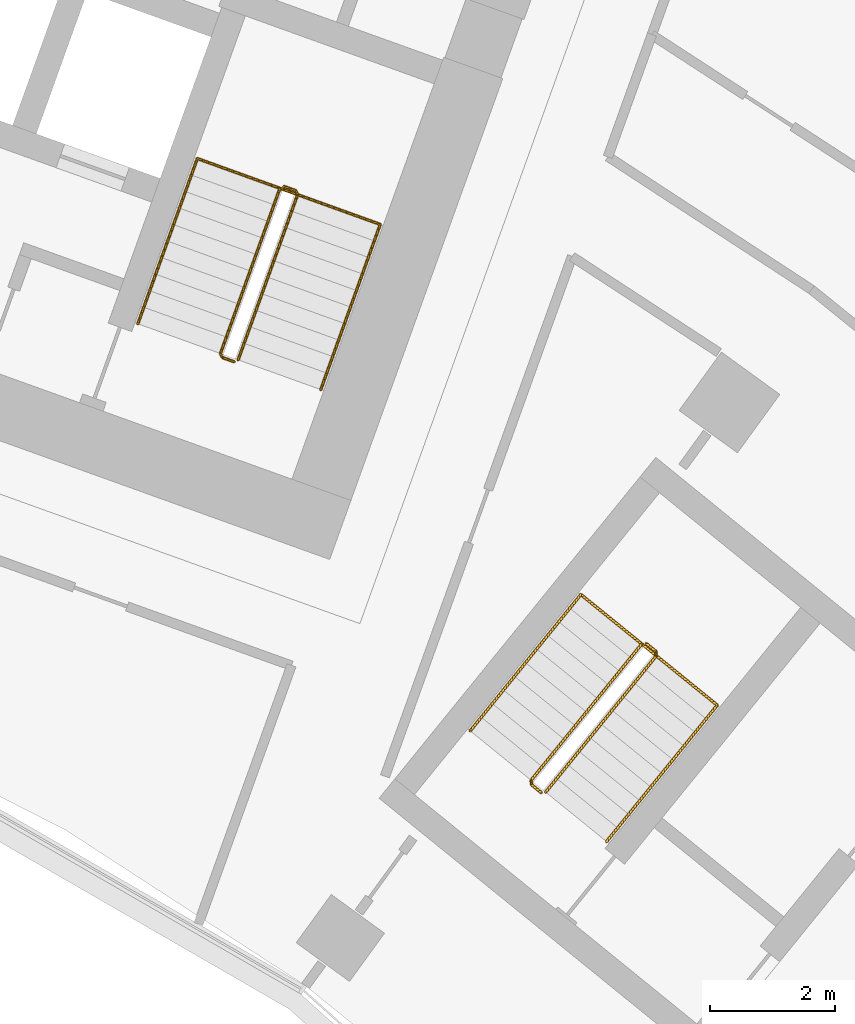
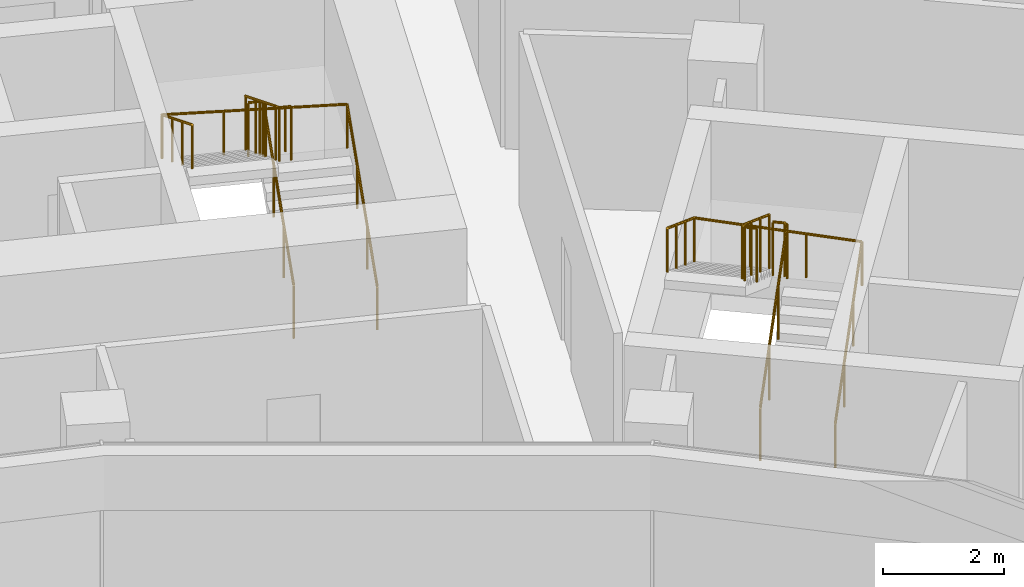
# One storey, part 20 of 20: 6 railings.
"""IFC4 building model written with IfcOpenShell, lengths in metres."""

from ifc_helpers import new_model, si_unit, direction, frame, origin, origin_2d, place, context, subcontext, project, spatial, circle, extrude, material, type_object, element, save


model = new_model("IFC4")

# Units and contexts
model_context = context("Model", 3, precision=1e-05, world=origin(), true_north=direction((0.0, 1.0)))
body_context = subcontext(model_context, "Body", "Model", "MODEL_VIEW")
ifc_project = project(units=[si_unit("LENGTHUNIT", "METRE"), si_unit("AREAUNIT", "SQUARE_METRE"), si_unit("VOLUMEUNIT", "CUBIC_METRE"), si_unit("PLANEANGLEUNIT", "RADIAN"), si_unit("MASSUNIT", "GRAM", prefix="KILO")], contexts=[model_context])

# Site, building, storey
site_placement = place(None, origin())
site = spatial("IfcSite", under=ifc_project, at=site_placement, CompositionType="ELEMENT")
building_placement = place(site_placement, origin())
building = spatial("IfcBuilding", under=site, at=building_placement, Name="Stone Belt Terrace Tower", CompositionType="ELEMENT")
storey_placement = place(building_placement, frame((0.0, 0.0, 201.0)))
storey = spatial("IfcBuildingStorey", under=building, at=storey_placement, Name="L48", CompositionType="ELEMENT", Elevation=201.0)

# Railings
ifc_material = material(Name="Structural steel C345", Category="steel")
railing_type_1 = type_object("IfcRailingType", Name="Stair guard 1100", PredefinedType="GUARDRAIL", material=ifc_material)
railing_1_placement = place(storey_placement, frame((24.494140625, 45.174560546875, 0.172607421875)))
element("IfcRailing", 1, at=railing_1_placement, inside=storey, type_object=railing_type_1, Name="L48 ST1B stair guard 1", PredefinedType="GUARDRAIL", context=body_context, shape_type="SweptSolid", body=[
    extrude(circle(Radius=0.02392578125, at=origin_2d()), frame((0.0, 0.0, 1.076171875), z_axis=(0.288228637646, 0.800791768495, 0.525030280985), x_axis=(-0.940908529223, 0.338660803216, 0.0)), (0.0, 0.0, 1.0), 3.289794921875),
    extrude(circle(Radius=0.02392578125, at=origin_2d()), frame((0.9482421875, 2.634521484375, 2.80322265625), z_axis=(-0.424964916, 0.905209821074, 0.0), x_axis=(-0.905209821074, -0.424964916, 0.0)), (0.0, 0.0, 1.0), 0.070556640625),
    extrude(circle(Radius=0.02392578125, at=origin_2d()), frame((0.918212890625, 2.698486328125, 2.80322265625), z_axis=(-0.941105063269, 0.338114270461, 0.0), x_axis=(-0.338114270461, -0.941105063269, 0.0)), (0.0, 0.0, 1.0), 0.199951171875),
    extrude(circle(Radius=0.02099609375, at=origin_2d()), origin(), (0.0, 0.0, 1.0), 1.052001953125),
    extrude(circle(Radius=0.02099609375, at=origin_2d()), frame((0.316162109375, 0.878173828125, 0.57568359375)), (0.0, 0.0, 1.0), 1.052001953125),
    extrude(circle(Radius=0.02099609375, at=origin_2d()), frame((0.632080078125, 1.75634765625, 1.151611328125)), (0.0, 0.0, 1.0), 1.052001953125),
    extrude(circle(Radius=0.02099609375, at=origin_2d()), frame((0.9482421875, 2.634521484375, 1.727294921875)), (0.0, 0.0, 1.0), 1.052001953125),
    extrude(circle(Radius=0.02099609375, at=origin_2d()), frame((0.918212890625, 2.698486328125, 1.727294921875)), (0.0, 0.0, 1.0), 1.052001953125),
    extrude(circle(Radius=0.02099609375, at=origin_2d()), frame((0.72998046875, 2.76611328125, 1.727294921875)), (0.0, 0.0, 1.0), 1.052001953125),
])
railing_2_placement = place(storey_placement, frame((25.16015625, 47.91064453125, 2.07275390625)))
element("IfcRailing", 2, at=railing_2_placement, inside=storey, type_object=railing_type_1, Name="L48 ST1B stair guard 2", PredefinedType="GUARDRAIL", context=body_context, shape_type="SweptSolid", body=[
    extrude(circle(Radius=0.02392578125, at=origin_2d()), frame((0.0, 0.0, 1.076171875), z_axis=(-0.288228637646, -0.800791768495, 0.525030280985), x_axis=(0.940908529223, -0.338660803216, 0.0)), (0.0, 0.0, 1.0), 3.289794921875),
    extrude(circle(Radius=0.02392578125, at=origin_2d()), frame((-0.9482421875, -2.634521484375, 2.80322265625), z_axis=(0.427789722475, -0.903878284585, 0.0), x_axis=(0.903878284585, 0.427789722475, 0.0)), (0.0, 0.0, 1.0), 0.07080078125),
    extrude(circle(Radius=0.02392578125, at=origin_2d()), frame((-0.91796875, -2.698486328125, 2.80322265625), z_axis=(0.940575576748, -0.339584429008, 0.0), x_axis=(0.339584429008, 0.940575576748, 0.0)), (0.0, 0.0, 1.0), 0.199951171875),
    extrude(circle(Radius=0.02099609375, at=origin_2d()), origin(), (0.0, 0.0, 1.0), 1.052001953125),
    extrude(circle(Radius=0.02099609375, at=origin_2d()), frame((-0.316162109375, -0.878173828125, 0.57568359375)), (0.0, 0.0, 1.0), 1.052001953125),
    extrude(circle(Radius=0.02099609375, at=origin_2d()), frame((-0.632080078125, -1.75634765625, 1.151611328125)), (0.0, 0.0, 1.0), 1.052001953125),
    extrude(circle(Radius=0.02099609375, at=origin_2d()), frame((-0.9482421875, -2.634521484375, 1.727294921875)), (0.0, 0.0, 1.0), 1.052001953125),
    extrude(circle(Radius=0.02099609375, at=origin_2d()), frame((-0.91796875, -2.698486328125, 1.727294921875)), (0.0, 0.0, 1.0), 1.052001953125),
    extrude(circle(Radius=0.02099609375, at=origin_2d()), frame((-0.72998046875, -2.766357421875, 1.727294921875)), (0.0, 0.0, 1.0), 1.052001953125),
])
railing_3_placement = place(storey_placement, frame((29.39794921875, 38.281982421875, 0.172607421875)))
element("IfcRailing", 3, at=railing_3_placement, inside=storey, type_object=railing_type_1, Name="L48 ST3B stair guard 1", PredefinedType="GUARDRAIL", context=body_context, shape_type="SweptSolid", body=[
    extrude(circle(Radius=0.02392578125, at=origin_2d()), frame((0.0, 0.0, 1.076171875), z_axis=(0.536393061503, 0.660769759217, 0.525038864158), x_axis=(-0.776391310223, 0.630251166924, 0.0)), (0.0, 0.0, 1.0), 3.289794921875),
    extrude(circle(Radius=0.02392578125, at=origin_2d()), frame((1.7646484375, 2.173828125, 2.80322265625), z_axis=(-0.103251414163, 0.994655289773, 0.0), x_axis=(-0.994655289773, -0.103251414163, 0.0)), (0.0, 0.0, 1.0), 0.071044921875),
    extrude(circle(Radius=0.02392578125, at=origin_2d()), frame((1.75732421875, 2.244384765625, 2.80322265625), z_axis=(-0.776561986372, 0.630040856868, 0.0), x_axis=(-0.630040856868, -0.776561986372, 0.0)), (0.0, 0.0, 1.0), 0.199951171875),
    extrude(circle(Radius=0.02099609375, at=origin_2d()), origin(), (0.0, 0.0, 1.0), 1.052001953125),
    extrude(circle(Radius=0.02099609375, at=origin_2d()), frame((0.588134765625, 0.724609375, 0.57568359375)), (0.0, 0.0, 1.0), 1.052001953125),
    extrude(circle(Radius=0.02099609375, at=origin_2d()), frame((1.176513671875, 1.44921875, 1.151611328125)), (0.0, 0.0, 1.0), 1.052001953125),
    extrude(circle(Radius=0.02099609375, at=origin_2d()), frame((1.7646484375, 2.173828125, 1.727294921875)), (0.0, 0.0, 1.0), 1.052001953125),
    extrude(circle(Radius=0.02099609375, at=origin_2d()), frame((1.75732421875, 2.244384765625, 1.727294921875)), (0.0, 0.0, 1.0), 1.052001953125),
    extrude(circle(Radius=0.02099609375, at=origin_2d()), frame((1.60205078125, 2.370361328125, 1.727294921875)), (0.0, 0.0, 1.0), 1.052001953125),
])
railing_4_placement = place(storey_placement, frame((30.9296875, 40.64501953125, 2.07275390625)))
element("IfcRailing", 4, at=railing_4_placement, inside=storey, type_object=railing_type_1, Name="L48 ST3B stair guard 2", PredefinedType="GUARDRAIL", context=body_context, shape_type="SweptSolid", body=[
    extrude(circle(Radius=0.02392578125, at=origin_2d()), frame((0.0, 0.0, 1.076171875), z_axis=(-0.536366759382, -0.660811565066, 0.525013118792), x_axis=(0.776425942316, -0.630208502084, 0.0)), (0.0, 0.0, 1.0), 3.2900390625),
    extrude(circle(Radius=0.02392578125, at=origin_2d()), frame((-1.7646484375, -2.174072265625, 2.80322265625), z_axis=(0.103606084259, -0.994618408891, 0.0), x_axis=(0.994618408891, 0.103606084259, 0.0)), (0.0, 0.0, 1.0), 0.07080078125),
    extrude(circle(Radius=0.02392578125, at=origin_2d()), frame((-1.75732421875, -2.244384765625, 2.80322265625), z_axis=(0.776561986372, -0.630040856868, 0.0), x_axis=(0.630040856868, 0.776561986372, 0.0)), (0.0, 0.0, 1.0), 0.199951171875),
    extrude(circle(Radius=0.02099609375, at=origin_2d()), origin(), (0.0, 0.0, 1.0), 1.052001953125),
    extrude(circle(Radius=0.02099609375, at=origin_2d()), frame((-0.588134765625, -0.724609375, 0.57568359375)), (0.0, 0.0, 1.0), 1.052001953125),
    extrude(circle(Radius=0.02099609375, at=origin_2d()), frame((-1.176513671875, -1.449462890625, 1.151611328125)), (0.0, 0.0, 1.0), 1.052001953125),
    extrude(circle(Radius=0.02099609375, at=origin_2d()), frame((-1.7646484375, -2.174072265625, 1.727294921875)), (0.0, 0.0, 1.0), 1.052001953125),
    extrude(circle(Radius=0.02099609375, at=origin_2d()), frame((-1.75732421875, -2.244384765625, 1.727294921875)), (0.0, 0.0, 1.0), 1.052001953125),
    extrude(circle(Radius=0.02099609375, at=origin_2d()), frame((-1.60205078125, -2.370361328125, 1.727294921875)), (0.0, 0.0, 1.0), 1.052001953125),
])
railing_type_2 = type_object("IfcRailingType", Name="Stair handrail 900", PredefinedType="HANDRAIL", material=ifc_material)
railing_5_placement = place(storey_placement, frame((25.8115234375, 44.700439453125, 0.172607421875)))
element("IfcRailing", 5, at=railing_5_placement, inside=storey, type_object=railing_type_2, Name="L48 ST1B stair handrail 1", PredefinedType="HANDRAIL", context=body_context, shape_type="SweptSolid", body=[
    extrude(circle(Radius=0.02392578125, at=origin_2d()), frame((0.0, 0.0, 0.8759765625), z_axis=(0.288228637646, 0.800791768495, 0.525030280985), x_axis=(-0.940908529223, 0.338660803216, 0.0)), (0.0, 0.0, 1.0), 3.289794921875),
    extrude(circle(Radius=0.02392578125, at=origin_2d()), frame((0.9482421875, 2.634521484375, 2.60302734375), z_axis=(-0.939460408074, 0.338105101667, 0.055669398135), x_axis=(-0.338630230244, -0.940919532779, 0.0)), (0.0, 0.0, 1.0), 3.10498046875),
    extrude(circle(Radius=0.02392578125, at=origin_2d()), frame((-1.96875, 3.684326171875, 2.77587890625), z_axis=(-0.288160591223, -0.800808895155, 0.52504150989), x_axis=(0.940936311087, -0.338583606334, 0.0)), (0.0, 0.0, 1.0), 3.289794921875),
    extrude(circle(Radius=0.02099609375, at=origin_2d()), origin(), (0.0, 0.0, 1.0), 0.851806640625),
    extrude(circle(Radius=0.02099609375, at=origin_2d()), frame((0.316162109375, 0.878173828125, 0.57568359375)), (0.0, 0.0, 1.0), 0.851806640625),
    extrude(circle(Radius=0.02099609375, at=origin_2d()), frame((0.632080078125, 1.75634765625, 1.151611328125)), (0.0, 0.0, 1.0), 0.851806640625),
    extrude(circle(Radius=0.02099609375, at=origin_2d()), frame((0.9482421875, 2.634521484375, 1.727294921875)), (0.0, 0.0, 1.0), 0.851806640625),
    extrude(circle(Radius=0.02099609375, at=origin_2d()), frame((-0.024169921875, 2.984375, 1.784912109375)), (0.0, 0.0, 1.0), 0.851806640625),
    extrude(circle(Radius=0.02099609375, at=origin_2d()), frame((-0.996337890625, 3.33447265625, 1.842529296875)), (0.0, 0.0, 1.0), 0.851806640625),
    extrude(circle(Radius=0.02099609375, at=origin_2d()), frame((-1.96875, 3.684326171875, 1.900146484375)), (0.0, 0.0, 1.0), 0.851806640625),
    extrude(circle(Radius=0.02099609375, at=origin_2d()), frame((-2.28466796875, 2.80615234375, 2.475830078125)), (0.0, 0.0, 1.0), 0.851806640625),
    extrude(circle(Radius=0.02099609375, at=origin_2d()), frame((-2.600830078125, 1.927978515625, 3.0517578125)), (0.0, 0.0, 1.0), 0.851806640625),
    extrude(circle(Radius=0.02099609375, at=origin_2d()), frame((-2.916748046875, 1.0498046875, 3.62744140625)), (0.0, 0.0, 1.0), 0.851806640625),
])
railing_6_placement = place(storey_placement, frame((30.36865234375, 37.494140625, 0.172607421875)))
element("IfcRailing", 6, at=railing_6_placement, inside=storey, type_object=railing_type_2, Name="L48 ST3B stair handrail 1", PredefinedType="HANDRAIL", context=body_context, shape_type="SweptSolid", body=[
    extrude(circle(Radius=0.02392578125, at=origin_2d()), frame((0.0, 0.0, 0.8759765625), z_axis=(0.536366759382, 0.660811565066, 0.525013118792), x_axis=(-0.776425942316, 0.630208502084, 0.0)), (0.0, 0.0, 1.0), 3.2900390625),
    extrude(circle(Radius=0.02392578125, at=origin_2d()), frame((1.7646484375, 2.174072265625, 2.60302734375), z_axis=(-0.774950814199, 0.629011171817, 0.061613158501), x_axis=(-0.630208502084, -0.776425942316, 0.0)), (0.0, 0.0, 1.0), 2.805419921875),
    extrude(circle(Radius=0.02392578125, at=origin_2d()), frame((-0.409423828125, 3.938720703125, 2.77587890625), z_axis=(-0.536366759382, -0.660811565066, 0.525013118792), x_axis=(0.776425942316, -0.630208502084, 0.0)), (0.0, 0.0, 1.0), 3.2900390625),
    extrude(circle(Radius=0.02099609375, at=origin_2d()), origin(), (0.0, 0.0, 1.0), 0.851806640625),
    extrude(circle(Radius=0.02099609375, at=origin_2d()), frame((0.588134765625, 0.724609375, 0.57568359375)), (0.0, 0.0, 1.0), 0.851806640625),
    extrude(circle(Radius=0.02099609375, at=origin_2d()), frame((1.176513671875, 1.449462890625, 1.151611328125)), (0.0, 0.0, 1.0), 0.851806640625),
    extrude(circle(Radius=0.02099609375, at=origin_2d()), frame((1.7646484375, 2.174072265625, 1.727294921875)), (0.0, 0.0, 1.0), 0.851806640625),
    extrude(circle(Radius=0.02099609375, at=origin_2d()), frame((1.0400390625, 2.76220703125, 1.784912109375)), (0.0, 0.0, 1.0), 0.851806640625),
    extrude(circle(Radius=0.02099609375, at=origin_2d()), frame((0.315185546875, 3.3505859375, 1.842529296875)), (0.0, 0.0, 1.0), 0.851806640625),
    extrude(circle(Radius=0.02099609375, at=origin_2d()), frame((-0.409423828125, 3.938720703125, 1.900146484375)), (0.0, 0.0, 1.0), 0.851806640625),
    extrude(circle(Radius=0.02099609375, at=origin_2d()), frame((-0.99755859375, 3.214111328125, 2.475830078125)), (0.0, 0.0, 1.0), 0.851806640625),
    extrude(circle(Radius=0.02099609375, at=origin_2d()), frame((-1.5859375, 2.4892578125, 3.0517578125)), (0.0, 0.0, 1.0), 0.851806640625),
    extrude(circle(Radius=0.02099609375, at=origin_2d()), frame((-2.174072265625, 1.7646484375, 3.62744140625)), (0.0, 0.0, 1.0), 0.851806640625),
])

save(model, "model.ifc")
